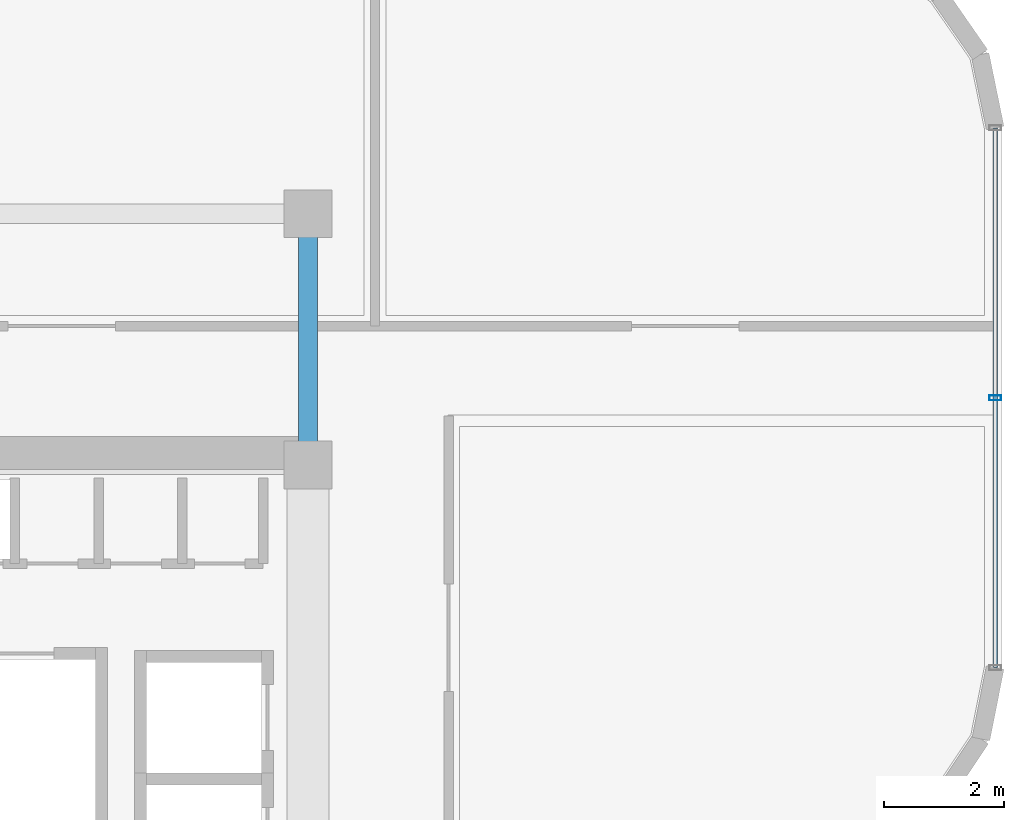
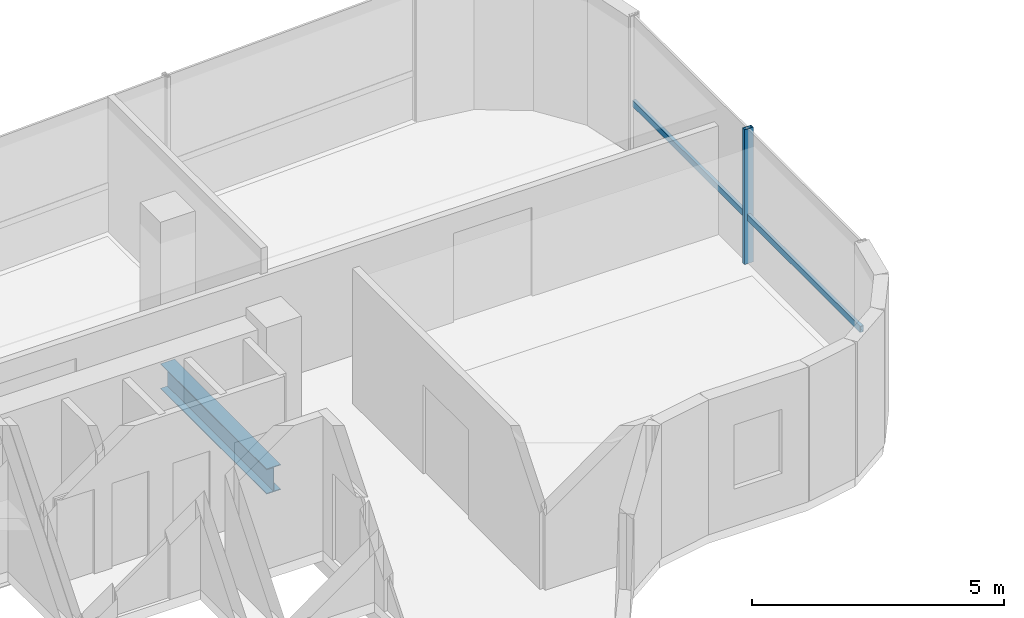
# One storey, part 9 of 18: 2 members, 1 beam, 1 element without a shape of its own.
"""IFC4 building model written with IfcOpenShell, lengths in metres."""

from ifc_helpers import new_model, si_unit, direction, frame, origin, origin_2d, place, context, subcontext, project, spatial, hollow_rectangle, i_section, extrude, source, transform, mapped, material, material_profile, profile_set, type_object, element, aggregate, save


model = new_model("IFC4")

# Units and contexts
model_context = context("Model", 3, precision=1e-05, world=origin(), true_north=direction((0.0, 1.0)))
body_context = subcontext(model_context, "Body", "Model", "MODEL_VIEW")
ifc_project = project(units=[si_unit("LENGTHUNIT", "METRE"), si_unit("AREAUNIT", "SQUARE_METRE"), si_unit("VOLUMEUNIT", "CUBIC_METRE"), si_unit("PLANEANGLEUNIT", "RADIAN"), si_unit("MASSUNIT", "GRAM", prefix="KILO")], contexts=[model_context])

# Site, building, storey
site_placement = place(None, origin())
site = spatial("IfcSite", under=ifc_project, at=site_placement, CompositionType="ELEMENT")
building_placement = place(site_placement, origin())
building = spatial("IfcBuilding", under=site, at=building_placement, Name="Valdorenza Pilgrim Sanctuary Tower", CompositionType="ELEMENT")
storey_placement = place(building_placement, frame((0.0, 0.0, 273.0)))
storey = spatial("IfcBuildingStorey", under=building, at=storey_placement, Name="L71", CompositionType="ELEMENT", Elevation=273.0)

# Beam
ifc_material_1 = material(Name="Steel ASTM A992 Grade 50", Category="steel")
ifc_material_profile_1 = material_profile(ifc_material_1, i_section(OverallWidth=0.323974609375, OverallDepth=0.611083984375, WebThickness=0.0126953125, FlangeThickness=0.01904296875, at=origin_2d()), Name="W24X104")
ifc_profile_set_1 = profile_set([ifc_material_profile_1], Name="Steel ASTM A992 Grade 50")
beam_type = type_object("IfcBeamType", Name="STR-BM-GRD-W24B", PredefinedType="BEAM", material=ifc_profile_set_1)
shared_shape_1 = source(origin(), body_context, "Body", "SweptSolid", [
    extrude(i_section(OverallWidth=0.323974609375, OverallDepth=0.611083984375, WebThickness=0.0126953125, FlangeThickness=0.01904296875, at=origin_2d()), origin(), (0.0, 0.0, 1.0), 4.199951171875),
])
beam_placement = place(storey_placement, frame((-12.39990234375, 10.60009765625, -0.54541015625), z_axis=(0.0, 1.0, 0.0), x_axis=(-1.0, 0.0, 0.0)))
element("IfcBeam", 1, at=beam_placement, inside=storey, type_object=beam_type, Name="L71 Core Tie Girder CA-E-N1N2", PredefinedType="BEAM", context=body_context, shape_type="MappedRepresentation", body=[
    mapped(shared_shape_1, transform((0.0, 0.0, 0.0), x_axis=(1.0, 0.0, 0.0), y_axis=(0.0, 1.0, 0.0), z_axis=(0.0, 0.0, 1.0), scale=1.0)),
])

# Curtain wall, members
ifc_material_2 = material(Name="Curtain-wall IGU glazing", Category="glass")
curtain_wall_type = type_object("IfcCurtainWallType", Name="CW-SYS-02", PredefinedType="NOTDEFINED", material=ifc_material_2)
curtain_wall_placement = place(storey_placement, origin())
curtain_wall = element("IfcCurtainWall", 2, at=curtain_wall_placement, inside=storey, type_object=curtain_wall_type, Name="L71 Curtain Wall CW-L71-1-11", PredefinedType="NOTDEFINED")
ifc_material_3 = material(Name="Anodised aluminium AW-6060", Category="aluminium")
ifc_material_profile_2 = material_profile(ifc_material_3, hollow_rectangle(XDim=0.0849609375, YDim=0.199951171875, WallThickness=0.0048828125, at=origin_2d()), Name="ALU-M 200x85x5")
ifc_profile_set_2 = profile_set([ifc_material_profile_2], Name="Anodised aluminium AW-6060")
member_type_1 = type_object("IfcMemberType", Name="CW-MUL-02", PredefinedType="MULLION", material=ifc_profile_set_2)
shared_shape_2 = source(origin(), body_context, "Body", "SweptSolid", [
    extrude(hollow_rectangle(XDim=0.0849609375, YDim=0.199951171875, WallThickness=0.0048828125, at=origin_2d()), origin(), (0.0, 0.0, 1.0), 3.260009765625),
])
member_1_placement = place(storey_placement, frame((-0.909912109375, 11.72265625, 0.0), z_axis=(0.0, 0.0, 1.0), x_axis=(0.0, -1.0, 0.0)))
member_1 = element("IfcMember", 3, at=member_1_placement, type_object=member_type_1, Name="CW-L71-1-11 Mullion 2", PredefinedType="MULLION", context=body_context, shape_type="MappedRepresentation", body=[
    mapped(shared_shape_2, transform((0.0, 0.0, 0.0), x_axis=(1.0, 0.0, 0.0), y_axis=(0.0, 1.0, 0.0), z_axis=(0.0, 0.0, 1.0), scale=1.0)),
])
ifc_material_profile_3 = material_profile(ifc_material_3, hollow_rectangle(XDim=0.074951171875, YDim=0.14990234375, WallThickness=0.00390625, at=origin_2d()), Name="ALU-T 150x75x4")
ifc_profile_set_3 = profile_set([ifc_material_profile_3], Name="Anodised aluminium AW-6060")
member_type_2 = type_object("IfcMemberType", Name="CW-TRN-02", PredefinedType="USERDEFINED", material=ifc_profile_set_3)
shared_shape_3 = source(origin(), body_context, "Body", "SweptSolid", [
    extrude(hollow_rectangle(XDim=0.074951171875, YDim=0.14990234375, WallThickness=0.00390625, at=origin_2d()), origin(), (0.0, 0.0, 1.0), 9.023681640625),
])
member_2_placement = place(storey_placement, frame((-0.909912109375, 16.234375, 1.1201171875), z_axis=(0.0, -1.0, 0.0), x_axis=(1.0, 0.0, 0.0)))
member_2 = element("IfcMember", 4, at=member_2_placement, type_object=member_type_2, Name="CW-L71-1-11 Transom 1", ObjectType="TRANSOM", PredefinedType="USERDEFINED", context=body_context, shape_type="MappedRepresentation", body=[
    mapped(shared_shape_3, transform((0.0, 0.0, 0.0), x_axis=(1.0, 0.0, 0.0), y_axis=(0.0, 1.0, 0.0), z_axis=(0.0, 0.0, 1.0), scale=1.0)),
])
aggregate(curtain_wall, [member_1, member_2])

save(model, "model.ifc")
